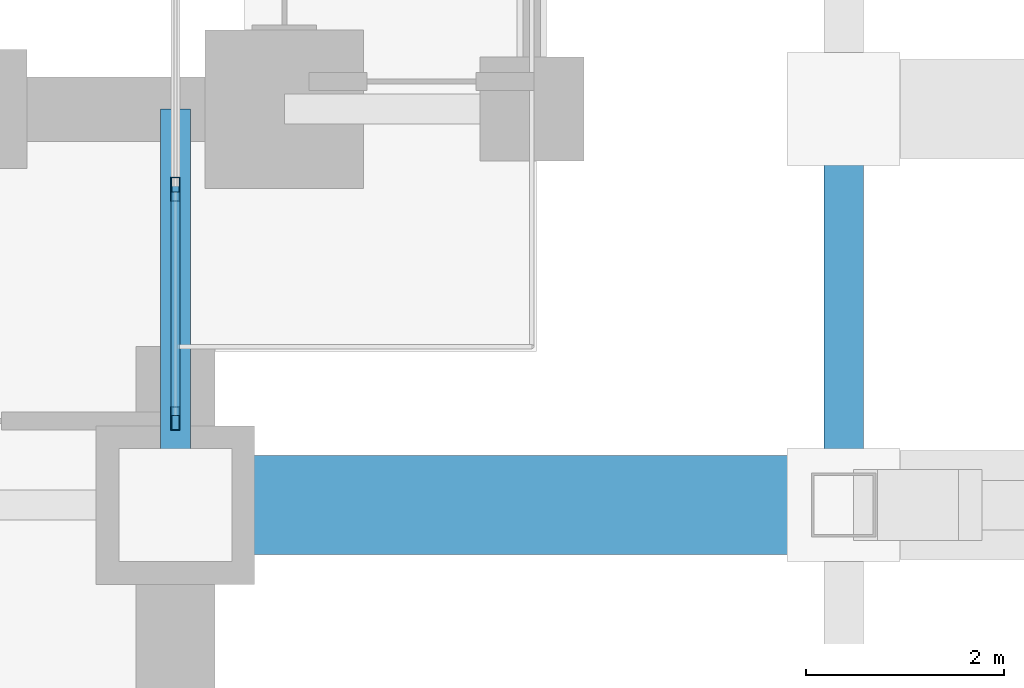
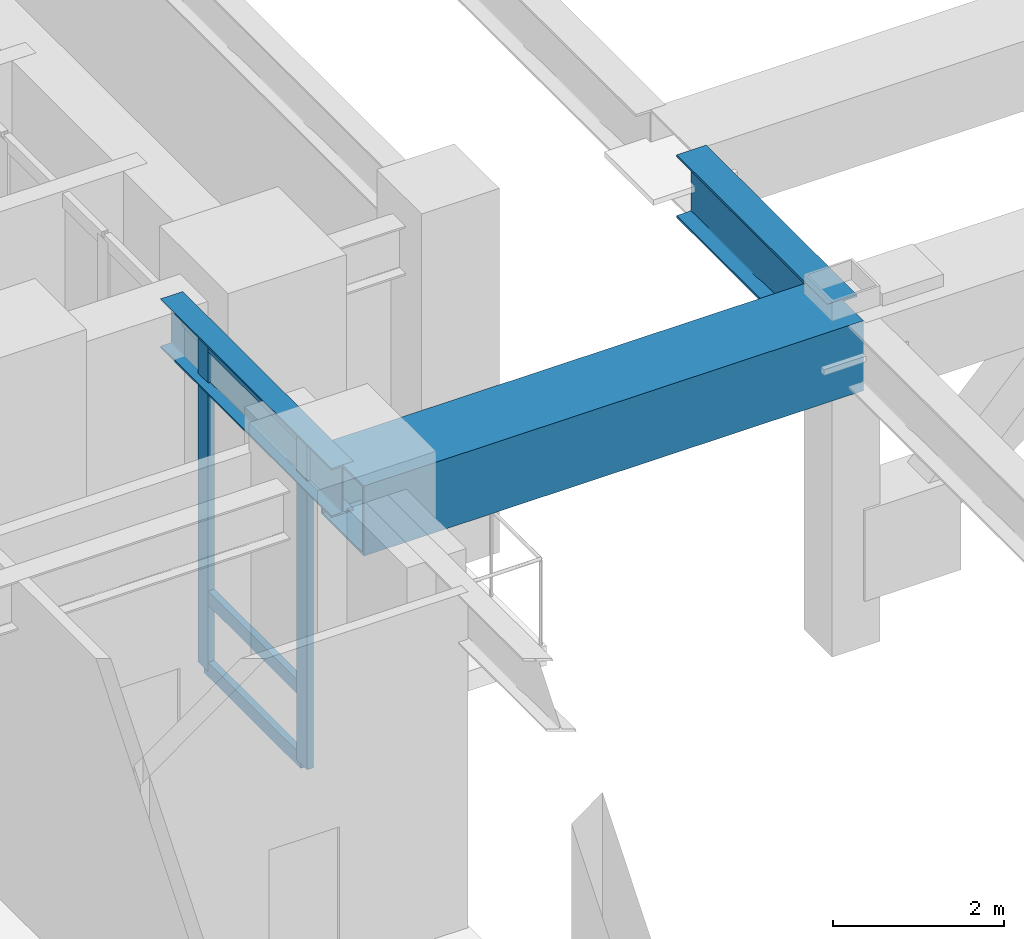
# One storey, part 2 of 26: 5 members, 3 beams, 1 element without a shape of its own.
"""IFC4 building model written with IfcOpenShell, lengths in metres."""

from ifc_helpers import new_model, si_unit, direction, frame, origin, origin_2d, place, context, subcontext, project, spatial, hollow_rectangle, i_section, extrude, material, layer, layer_set, material_profile, profile_set, type_object, element, aggregate, save


model = new_model("IFC4")

# Units and contexts
model_context = context("Model", 3, precision=1e-05, world=origin(), true_north=direction((0.0, 1.0)))
body_context = subcontext(model_context, "Body", "Model", "MODEL_VIEW")
ifc_project = project(units=[si_unit("LENGTHUNIT", "METRE"), si_unit("AREAUNIT", "SQUARE_METRE"), si_unit("VOLUMEUNIT", "CUBIC_METRE"), si_unit("PLANEANGLEUNIT", "RADIAN"), si_unit("MASSUNIT", "GRAM", prefix="KILO")], contexts=[model_context])

# Site, building, storey
site_placement = place(None, origin())
site = spatial("IfcSite", under=ifc_project, at=site_placement, CompositionType="ELEMENT")
building_placement = place(site_placement, origin())
building = spatial("IfcBuilding", under=site, at=building_placement, Name="Voryun Gate Residences", CompositionType="ELEMENT")
storey_placement = place(building_placement, frame((0.0, 0.0, 15.60009765625)))
storey = spatial("IfcBuildingStorey", under=building, at=storey_placement, Name="L03", CompositionType="ELEMENT", Elevation=15.60009765625)

# Beams
ifc_material_1 = material(Name="Steel SM420", Category="steel")
ifc_material_profile_1 = material_profile(ifc_material_1, hollow_rectangle(XDim=1.0, YDim=1.0, WallThickness=0.031982421875, at=origin_2d()), Name="BOX-1000x1000x32")
ifc_profile_set_1 = profile_set([ifc_material_profile_1], Name="Steel SM420")
beam_type_1 = type_object("IfcBeamType", Name="BM_ARCH_TIE", PredefinedType="USERDEFINED", material=ifc_profile_set_1)
beam_1_placement = place(storey_placement, frame((-13.5, -11.39990234375, 4.2998046875), z_axis=(1.0, 0.0, 0.0), x_axis=(0.0, 1.0, 0.0)))
element("IfcBeam", 1, at=beam_1_placement, inside=storey, type_object=beam_type_1, Name="Parabolic Tied-Arch Tie Girder S Bay 1", ObjectType="GIRDER", PredefinedType="USERDEFINED", context=body_context, shape_type="SweptSolid", body=[
    extrude(hollow_rectangle(XDim=1.0, YDim=1.0, WallThickness=0.031982421875, at=origin_2d()), origin(), (0.0, 0.0, 1.0), 6.75),
])
ifc_material_2 = material(Name="Steel SM355", Category="steel")
ifc_material_profile_2 = material_profile(ifc_material_2, i_section(OverallWidth=0.300048828125, OverallDepth=0.699951171875, WebThickness=0.012939453125, FlangeThickness=0.02392578125, FilletRadius=0.01806640625, at=origin_2d()), Name="H-700x300x13x24")
ifc_profile_set_2 = profile_set([ifc_material_profile_2], Name="Steel SM355")
beam_type_2 = type_object("IfcBeamType", Name="BM_GIRD_700", PredefinedType="USERDEFINED", material=ifc_profile_set_2)
beam_2_placement = place(storey_placement, frame((-13.5, -11.39990234375, 4.449951171875), z_axis=(0.0, 1.0, 0.0), x_axis=(-1.0, 0.0, 0.0)))
element("IfcBeam", 2, at=beam_2_placement, inside=storey, type_object=beam_type_2, Name="BM-L03-PWYA--11.4", ObjectType="GIRDER", PredefinedType="USERDEFINED", context=body_context, shape_type="SweptSolid", body=[
    extrude(i_section(OverallWidth=0.300048828125, OverallDepth=0.699951171875, WebThickness=0.012939453125, FlangeThickness=0.02392578125, FilletRadius=0.01806640625, at=origin_2d()), origin(), (0.0, 0.0, 1.0), 4.0),
])
ifc_material_3 = material(Name="Steel SM420", Category="steel")
ifc_material_profile_3 = material_profile(ifc_material_3, i_section(OverallWidth=0.39990234375, OverallDepth=0.89990234375, WebThickness=0.01806640625, FlangeThickness=0.031982421875, FilletRadius=0.01806640625, at=origin_2d()), Name="H-900x400x18x32")
ifc_profile_set_3 = profile_set([ifc_material_profile_3], Name="Steel SM420")
beam_type_3 = type_object("IfcBeamType", Name="BM_POD_TRUSS_CHD", PredefinedType="USERDEFINED", material=ifc_profile_set_3)
beam_3_placement = place(storey_placement, frame((-6.75, -11.39990234375, 4.349853515625), z_axis=(0.0, 1.0, 0.0), x_axis=(-1.0, 0.0, 0.0)))
element("IfcBeam", 3, at=beam_3_placement, inside=storey, type_object=beam_type_3, Name="BM-L03-ARCH-XDECK-SN--6.75", ObjectType="GIRDER", PredefinedType="USERDEFINED", context=body_context, shape_type="SweptSolid", body=[
    extrude(i_section(OverallWidth=0.39990234375, OverallDepth=0.89990234375, WebThickness=0.01806640625, FlangeThickness=0.031982421875, FilletRadius=0.01806640625, at=origin_2d()), origin(), (0.0, 0.0, 1.0), 3.52490234375),
])

# Curtain wall, members
ifc_material_4 = material(Name="Anodised aluminium", Category="aluminium")
ifc_layer = layer(ifc_material_4, 0.239990234375, Name="CW_SYS_ARCH_DARK_GLASS")
ifc_layer_set = layer_set([ifc_layer], Name="Anodised aluminium")
curtain_wall_type = type_object("IfcCurtainWallType", Name="CW_SYS_ARCH_DARK_GLASS", PredefinedType="NOTDEFINED", material=ifc_layer_set)
curtain_wall_placement = place(storey_placement, origin())
curtain_wall = element("IfcCurtainWall", 4, at=curtain_wall_placement, inside=storey, type_object=curtain_wall_type, Name="Curtain wall CW2-L03-WP-M", PredefinedType="NOTDEFINED")
ifc_material_5 = material(Name="Anodised aluminium", Category="aluminium")
ifc_material_profile_4 = material_profile(ifc_material_5, hollow_rectangle(XDim=0.090087890625, YDim=0.239990234375, WallThickness=0.006103515625, at=origin_2d()), Name="ALU-MULL-240x90x6")
ifc_profile_set_4 = profile_set([ifc_material_profile_4], Name="Anodised aluminium")
member_type_1 = type_object("IfcMemberType", Name="CW_MULL_ARCH", PredefinedType="MULLION", material=ifc_profile_set_4)
member_1_placement = place(storey_placement, frame((-13.5, -10.52490234375, 0.0), z_axis=(0.0, 0.0, 1.0), x_axis=(-1.0, 0.0, 0.0)))
member_1 = element("IfcMember", 5, at=member_1_placement, type_object=member_type_1, Name="CW2 mullion 1", PredefinedType="MULLION", context=body_context, shape_type="SweptSolid", body=[
    extrude(hollow_rectangle(XDim=0.090087890625, YDim=0.239990234375, WallThickness=0.006103515625, at=origin_2d()), origin(), (0.0, 0.0, 1.0), 4.699951171875),
])
member_2_placement = place(storey_placement, frame((-13.5, -8.20947265625, 0.0), z_axis=(0.0, 0.0, 1.0), x_axis=(-1.0, 0.0, 0.0)))
member_2 = element("IfcMember", 6, at=member_2_placement, type_object=member_type_1, Name="CW2 mullion 2", PredefinedType="MULLION", context=body_context, shape_type="SweptSolid", body=[
    extrude(hollow_rectangle(XDim=0.090087890625, YDim=0.239990234375, WallThickness=0.006103515625, at=origin_2d()), origin(), (0.0, 0.0, 1.0), 4.699951171875),
])
ifc_material_6 = material(Name="Anodised aluminium", Category="aluminium")
ifc_material_profile_5 = material_profile(ifc_material_6, hollow_rectangle(XDim=0.090087890625, YDim=0.199951171875, WallThickness=0.006103515625, at=origin_2d()), Name="ALU-TRAN-200x90x6")
ifc_profile_set_5 = profile_set([ifc_material_profile_5], Name="Anodised aluminium")
member_type_2 = type_object("IfcMemberType", Name="CW_TRAN_ARCH", PredefinedType="USERDEFINED", material=ifc_profile_set_5)
member_3_placement = place(storey_placement, frame((-13.5, -10.4951171875, 0.02978515625), z_axis=(0.0, 1.0, 0.0), x_axis=(-1.0, 0.0, 0.0)))
member_3 = element("IfcMember", 7, at=member_3_placement, type_object=member_type_2, Name="CW2 transom 1.1", ObjectType="TRANSOM", PredefinedType="USERDEFINED", context=body_context, shape_type="SweptSolid", body=[
    extrude(hollow_rectangle(XDim=0.090087890625, YDim=0.199951171875, WallThickness=0.006103515625, at=origin_2d()), origin(), (0.0, 0.0, 1.0), 2.255615234375),
])
member_4_placement = place(storey_placement, frame((-13.5, -10.4951171875, 1.0498046875), z_axis=(0.0, 1.0, 0.0), x_axis=(-1.0, 0.0, 0.0)))
member_4 = element("IfcMember", 8, at=member_4_placement, type_object=member_type_2, Name="CW2 transom 1.2", ObjectType="TRANSOM", PredefinedType="USERDEFINED", context=body_context, shape_type="SweptSolid", body=[
    extrude(hollow_rectangle(XDim=0.090087890625, YDim=0.199951171875, WallThickness=0.006103515625, at=origin_2d()), origin(), (0.0, 0.0, 1.0), 2.255615234375),
])
member_5_placement = place(storey_placement, frame((-13.5, -10.4951171875, 4.669921875), z_axis=(0.0, 1.0, 0.0), x_axis=(-1.0, 0.0, 0.0)))
member_5 = element("IfcMember", 9, at=member_5_placement, type_object=member_type_2, Name="CW2 transom 1.3", ObjectType="TRANSOM", PredefinedType="USERDEFINED", context=body_context, shape_type="SweptSolid", body=[
    extrude(hollow_rectangle(XDim=0.090087890625, YDim=0.199951171875, WallThickness=0.006103515625, at=origin_2d()), origin(), (0.0, 0.0, 1.0), 2.255615234375),
])
aggregate(curtain_wall, [member_1, member_2, member_3, member_4, member_5])

save(model, "model.ifc")
